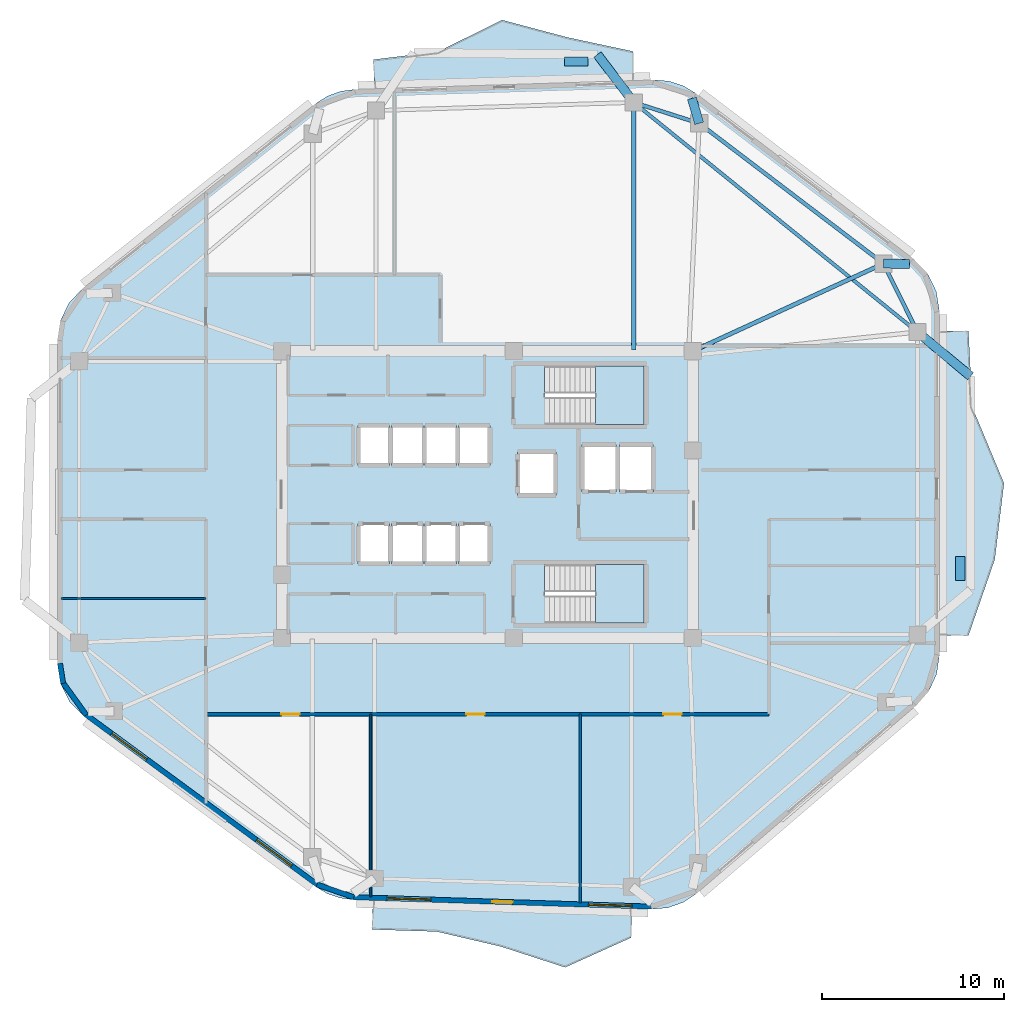
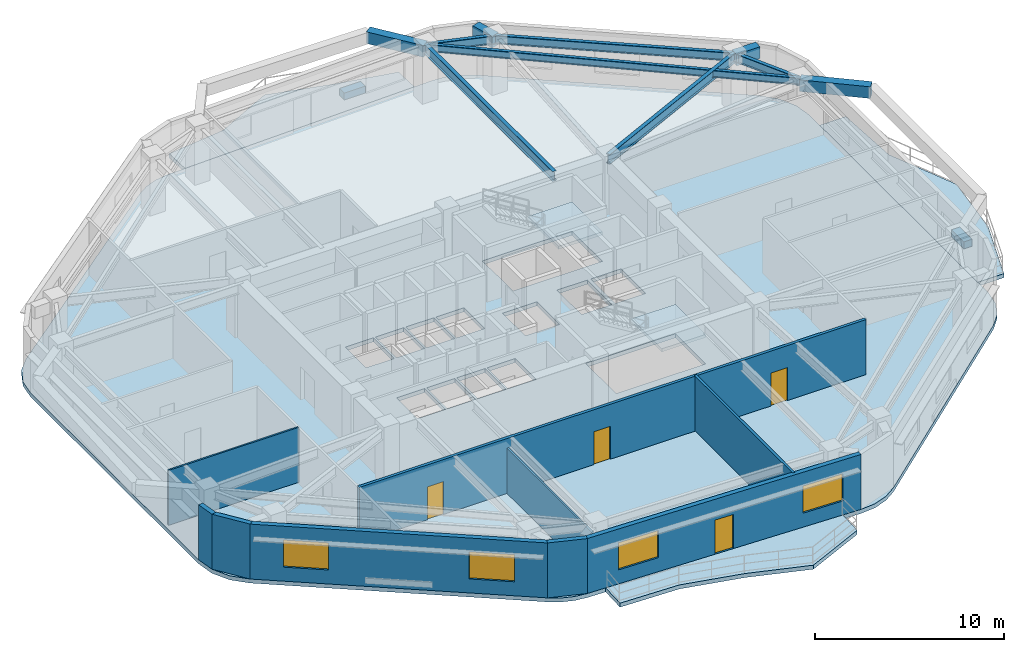
# One storey, part 2 of 8: 10 beams, 9 walls, 6 slabs, 4 doors, 4 windows, 2 plates, 8 openings, 2 elements without a shape of their own.
"""IFC4 building model written with IfcOpenShell, lengths in metres."""

from ifc_helpers import new_model, si_unit, direction, frame, frame_2d, origin, origin_2d, place, context, subcontext, project, spatial, polyline, rectangle, i_section, outline, extrude, material, layer, layer_set, material_profile, profile_set, type_object, element, fill, aggregate, save


model = new_model("IFC4")

# Units and contexts
model_context = context("Model", 3, precision=1e-05, world=origin(), true_north=direction((0.0, 1.0)))
body_context = subcontext(model_context, "Body", "Model", "MODEL_VIEW")
ifc_project = project(units=[si_unit("LENGTHUNIT", "METRE"), si_unit("AREAUNIT", "SQUARE_METRE"), si_unit("VOLUMEUNIT", "CUBIC_METRE"), si_unit("PLANEANGLEUNIT", "RADIAN"), si_unit("MASSUNIT", "GRAM", prefix="KILO")], contexts=[model_context])

# Site, building, storey
site_placement = place(None, origin())
site = spatial("IfcSite", under=ifc_project, at=site_placement, CompositionType="ELEMENT")
building_placement = place(site_placement, origin())
building = spatial("IfcBuilding", under=site, at=building_placement, Name="Zulverin Broadcast Headquarters", CompositionType="ELEMENT")
storey_placement = place(building_placement, frame((0.0, 0.0, 182.0)))
storey = spatial("IfcBuildingStorey", under=building, at=storey_placement, Name="L46", CompositionType="ELEMENT", Elevation=182.0)

# Beams
ifc_material_1 = material(Name="Concrete C40/50", Category="concrete")
ifc_material_profile_1 = material_profile(ifc_material_1, rectangle(XDim=0.5, YDim=0.75, at=origin_2d()), Name="Concrete C40/50", Category="concrete")
ifc_profile_set_1 = profile_set([ifc_material_profile_1], Name="Concrete C40/50")
beam_type_1 = type_object("IfcBeamType", Name="BM-RC-500x750", PredefinedType="BEAM", material=ifc_profile_set_1)
for number, where, z_axis, x_axis, name in (
    (1, (58.738037109375, 37.877685546875, 3.1650390625), (0.99990438472, -0.013828283279, 0.0), (0.013828283279, 0.99990438472, 0.0), "L47 Plate Overhang Back-Spanned Beam OVR-07"),
    (2, (48.62158203125, 45.574951171875, 3.1650390625), (-0.28015077605, 0.959956010804, 0.0), (-0.959956010804, -0.28015077605, 0.0), "L47 Plate Overhang Back-Spanned Beam OVR-08"),
):
    element("IfcBeam", number, at=place(storey_placement, frame(where, z_axis=z_axis, x_axis=x_axis)), inside=storey, type_object=beam_type_1, Name=name, PredefinedType="BEAM", context=body_context, shape_type="SweptSolid", body=[
        extrude(rectangle(XDim=0.5, YDim=0.75, at=origin_2d()), origin(), (0.0, 0.0, 1.0), 1.43017578125),
    ])
beam_1_placement = place(storey_placement, frame((60.60009765625, 34.12158203125, 3.1650390625), z_axis=(0.768400300007, -0.639969514078, 0.0), x_axis=(0.639969514078, 0.768400300007, 0.0)))
element("IfcBeam", 3, at=beam_1_placement, inside=storey, type_object=beam_type_1, Name="L47 Balcony Column-Framed Cantilever BAL_E-2", PredefinedType="BEAM", context=body_context, shape_type="SweptSolid", body=[
    extrude(rectangle(XDim=0.5, YDim=0.75, at=origin_2d()), origin(), (0.0, 0.0, 1.0), 3.800048828125),
])
beam_2_placement = place(storey_placement, frame((45.027587890625, 46.7236328125, 3.1650390625), z_axis=(-0.60373928825, 0.797181831092, 0.0), x_axis=(-0.797181831092, -0.60373928825, 0.0)))
element("IfcBeam", 4, at=beam_2_placement, inside=storey, type_object=beam_type_1, Name="L47 Balcony Column-Framed Cantilever BAL_N-1", PredefinedType="BEAM", context=body_context, shape_type="SweptSolid", body=[
    extrude(rectangle(XDim=0.5, YDim=0.75, at=origin_2d()), origin(), (0.0, 0.0, 1.0), 3.29541015625),
])
ifc_material_2 = material(Name="Structural steel S355JR", Category="steel")
ifc_material_profile_2 = material_profile(ifc_material_2, i_section(OverallWidth=0.19287109375, OverallDepth=0.46728515625, WebThickness=0.011474609375, FlangeThickness=0.01953125, at=origin_2d()), Name="Structural steel S355JR", Category="steel")
ifc_profile_set_2 = profile_set([ifc_material_profile_2], Name="Structural steel S355JR")
beam_type_2 = type_object("IfcBeamType", Name="BM-UB-457", PredefinedType="JOIST", material=ifc_profile_set_2)
beam_3_placement = place(storey_placement, frame((60.60009765625, 34.12158203125, 3.306396484375), z_axis=(-0.777349017335, 0.629069555175, 0.0), x_axis=(-0.629069555175, -0.777349017335, 0.0)))
element("IfcBeam", 5, at=beam_3_placement, inside=storey, type_object=beam_type_2, Name="L46 Chordal Floor Joist J-02", PredefinedType="JOIST", context=body_context, shape_type="SweptSolid", body=[
    extrude(i_section(OverallWidth=0.19287109375, OverallDepth=0.46728515625, WebThickness=0.011474609375, FlangeThickness=0.01953125, at=origin_2d()), origin(), (0.0, 0.0, 1.0), 20.032958984375),
])
ifc_material_profile_3 = material_profile(ifc_material_2, i_section(OverallWidth=0.2119140625, OverallDepth=0.54443359375, WebThickness=0.0126953125, FlangeThickness=0.021240234375, at=origin_2d()), Name="Structural steel S355JR", Category="steel")
ifc_profile_set_3 = profile_set([ifc_material_profile_3], Name="Structural steel S355JR")
beam_type_3 = type_object("IfcBeamType", Name="BM-UB-533", PredefinedType="SPANDREL", material=ifc_profile_set_3)
beam_4_placement = place(storey_placement, frame((60.60009765625, 34.12158203125, 3.267578125), z_axis=(-0.444159471033, 0.895947746407, 0.0), x_axis=(-0.895947746407, -0.444159471033, 0.0)))
element("IfcBeam", 6, at=beam_4_placement, inside=storey, type_object=beam_type_3, Name="L46 Perimeter Spandrel Beam SP-06", PredefinedType="SPANDREL", context=body_context, shape_type="SweptSolid", body=[
    extrude(i_section(OverallWidth=0.2119140625, OverallDepth=0.54443359375, WebThickness=0.0126953125, FlangeThickness=0.021240234375, at=origin_2d()), origin(), (0.0, 0.0, 1.0), 4.1923828125),
])
beam_5_placement = place(storey_placement, frame((58.738037109375, 37.877685546875, 3.267578125), z_axis=(-0.795830102505, 0.60551998146, 0.0), x_axis=(-0.60551998146, -0.795830102505, 0.0)))
element("IfcBeam", 7, at=beam_5_placement, inside=storey, type_object=beam_type_3, Name="L46 Perimeter Spandrel Beam SP-07", PredefinedType="SPANDREL", context=body_context, shape_type="SweptSolid", body=[
    extrude(i_section(OverallWidth=0.2119140625, OverallDepth=0.54443359375, WebThickness=0.0126953125, FlangeThickness=0.021240234375, at=origin_2d()), origin(), (0.0, 0.0, 1.0), 12.7119140625),
])
beam_6_placement = place(storey_placement, frame((48.62158203125, 45.574951171875, 3.267578125), z_axis=(-0.952531523781, 0.304439971428, 0.0), x_axis=(-0.304439971428, -0.952531523781, 0.0)))
element("IfcBeam", 8, at=beam_6_placement, inside=storey, type_object=beam_type_3, Name="L46 Perimeter Spandrel Beam SP-08", PredefinedType="SPANDREL", context=body_context, shape_type="SweptSolid", body=[
    extrude(i_section(OverallWidth=0.2119140625, OverallDepth=0.54443359375, WebThickness=0.0126953125, FlangeThickness=0.021240234375, at=origin_2d()), origin(), (0.0, 0.0, 1.0), 3.773193359375),
])
ifc_material_profile_4 = material_profile(ifc_material_2, i_section(OverallWidth=0.230224609375, OverallDepth=0.6171875, WebThickness=0.01318359375, FlangeThickness=0.022216796875, at=origin_2d()), Name="Structural steel S355JR", Category="steel")
ifc_profile_set_4 = profile_set([ifc_material_profile_4], Name="Structural steel S355JR")
beam_type_4 = type_object("IfcBeamType", Name="BM-UB-610", PredefinedType="BEAM", material=ifc_profile_set_4)
beam_7_placement = place(storey_placement, frame((48.27490234375, 33.074951171875, 3.2314453125), z_axis=(0.90883007293, 0.417166511764, 0.0), x_axis=(-0.417166511764, 0.90883007293, 0.0)))
element("IfcBeam", 9, at=beam_7_placement, inside=storey, type_object=beam_type_4, Name="L46 Radial Primary Floor Beam RB-07", PredefinedType="BEAM", context=body_context, shape_type="SweptSolid", body=[
    extrude(i_section(OverallWidth=0.230224609375, OverallDepth=0.6171875, WebThickness=0.01318359375, FlangeThickness=0.022216796875, at=origin_2d()), origin(), (0.0, 0.0, 1.0), 11.5126953125),
])
beam_8_placement = place(storey_placement, frame((45.027587890625, 33.125, 3.2314453125), z_axis=(0.0, 1.0, 0.0), x_axis=(-1.0, 0.0, 0.0)))
element("IfcBeam", 10, at=beam_8_placement, inside=storey, type_object=beam_type_4, Name="L46 Radial Primary Floor Beam RB-09", PredefinedType="BEAM", context=body_context, shape_type="SweptSolid", body=[
    extrude(i_section(OverallWidth=0.230224609375, OverallDepth=0.6171875, WebThickness=0.01318359375, FlangeThickness=0.022216796875, at=origin_2d()), origin(), (0.0, 0.0, 1.0), 13.5986328125),
])

# Plates
ifc_material_3 = material(Name="Precast concrete C45/55", Category="concrete")
ifc_layer_1 = layer(ifc_material_3, 0.449951171875, Name="Precast concrete C45/55", Category="concrete")
ifc_layer_set_1 = layer_set([ifc_layer_1], Name="Precast concrete C45/55")
plate_type = type_object("IfcPlateType", Name="PT-01_PRECAST_GFRC_TREE_PLANTER", PredefinedType="USERDEFINED", material=ifc_layer_set_1)
for number, where, z_axis, x_axis, name in (
    (11, (62.949951171875, 21.143798828125, -0.0048828125), (0.0, 0.0, 1.0), (0.0, 1.0, 0.0), "L46 Precast GFRC Tree Planter BAL_E"),
    (12, (41.869140625, 48.974609375, -0.0048828125), (0.0, 0.0, 1.0), (1.0, 0.0, 0.0), "L46 Precast GFRC Tree Planter BAL_N"),
):
    element("IfcPlate", number, at=place(storey_placement, frame(where, z_axis=z_axis, x_axis=x_axis)), inside=storey, type_object=plate_type, Name=name, ObjectType="PLANTER", PredefinedType="USERDEFINED", context=body_context, shape_type="SweptSolid", body=[
        extrude(rectangle(XDim=1.300048828125, YDim=0.5, at=origin_2d()), origin(), (0.0, 0.0, 1.0), 0.449951171875),
    ])

# Slabs
ifc_layer_2 = layer(ifc_material_1, 0.260009765625, Name="Concrete C40/50", Category="concrete")
ifc_layer_set_2 = layer_set([ifc_layer_2], Name="Concrete C40/50")
slab_type_1 = type_object("IfcSlabType", Name="SLB-BAL-260", PredefinedType="FLOOR", material=ifc_layer_set_2)
slab_1_placement = place(storey_placement, frame((0.0, 0.0, -0.260009765625)))
element("IfcSlab", 13, at=slab_1_placement, inside=storey, type_object=slab_type_1, Name="L46 Cantilevered Planted Balcony Slab BAL_E", PredefinedType="FLOOR", context=body_context, shape_type="SweptSolid", body=[
    extrude(outline(polyline([(61.800048828125, 34.17138671875), (61.800048828125, 17.46923828125), (63.39990234375, 17.46923828125), (64.84423828125, 21.644775390625), (65.35009765625, 25.8203125), (63.608642578125, 29.995849609375), (63.39990234375, 34.17138671875), (61.800048828125, 34.17138671875)])), origin(), (0.0, 0.0, 1.0), 0.260009765625),
])
slab_2_placement = place(storey_placement, frame((0.0, 0.0, -0.260009765625)))
element("IfcSlab", 14, at=slab_2_placement, inside=storey, type_object=slab_type_1, Name="L46 Cantilevered Planted Balcony Slab BAL_S", PredefinedType="FLOOR", context=body_context, shape_type="SweptSolid", body=[
    extrude(outline(polyline([(44.921630859375, 2.479248046875), (30.720458984375, 2.9296875), (30.669921875, 1.33056640625), (34.22021484375, 1.218017578125), (37.747802734375, 0.394287109375), (41.265380859375, -0.74658203125), (44.87109375, 0.8798828125), (44.921630859375, 2.479248046875)])), origin(), (0.0, 0.0, 1.0), 0.260009765625),
])
slab_3_placement = place(storey_placement, frame((0.0, 0.0, -0.260009765625)))
element("IfcSlab", 15, at=slab_3_placement, inside=storey, type_object=slab_type_1, Name="L46 Cantilevered Planted Balcony Slab BAL_N", PredefinedType="FLOOR", context=body_context, shape_type="SweptSolid", body=[
    extrude(outline(polyline([(30.794189453125, 47.47265625), (45.03955078125, 47.924560546875), (44.98876953125, 49.523681640625), (41.3994140625, 50.2900390625), (37.80419921875, 51.246826171875), (34.29443359375, 49.508056640625), (30.743408203125, 49.072021484375), (30.794189453125, 47.47265625)])), origin(), (0.0, 0.0, 1.0), 0.260009765625),
])

# Stair, slab
stair_type = type_object("IfcStairType", Name="ST-CORE-1500", PredefinedType="HALF_TURN_STAIR", material=ifc_material_1)
stair_1_placement = place(storey_placement, origin())
stair_1 = element("IfcStair", 16, at=stair_1_placement, inside=storey, type_object=stair_type, Name="L46 Core Exit Stair ST-1", PredefinedType="HALF_TURN_STAIR")
ifc_layer_3 = layer(ifc_material_1, 0.199951171875, Name="Concrete C40/50", Category="concrete")
ifc_layer_set_3 = layer_set([ifc_layer_3], Name="Concrete C40/50")
slab_type_2 = type_object("IfcSlabType", Name="SLB-ST-LND200", PredefinedType="LANDING", material=ifc_layer_set_3)
slab_4_placement = place(storey_placement, frame((0.0, 0.0, 1.699951171875)))
slab_4 = element("IfcSlab", 17, at=slab_4_placement, type_object=slab_type_2, Name="ST-1 landing 1", PredefinedType="LANDING", context=body_context, shape_type="SweptSolid", body=[
    extrude(outline(polyline([(42.929931640625, 29.050048828125), (45.60009765625, 29.050048828125), (45.60009765625, 32.25), (42.929931640625, 32.25), (42.929931640625, 29.050048828125)])), origin(), (0.0, 0.0, 1.0), 0.199951171875),
])
aggregate(stair_1, [slab_4])

stair_2_placement = place(storey_placement, origin())
stair_2 = element("IfcStair", 18, at=stair_2_placement, inside=storey, type_object=stair_type, Name="L46 Core Exit Stair ST-2", PredefinedType="HALF_TURN_STAIR")
slab_5_placement = place(storey_placement, frame((0.0, 0.0, 1.699951171875)))
slab_5 = element("IfcSlab", 19, at=slab_5_placement, type_object=slab_type_2, Name="ST-2 landing 1", PredefinedType="LANDING", context=body_context, shape_type="SweptSolid", body=[
    extrude(outline(polyline([(42.929931640625, 18.14990234375), (45.60009765625, 18.14990234375), (45.60009765625, 21.35009765625), (42.929931640625, 21.35009765625), (42.929931640625, 18.14990234375)])), origin(), (0.0, 0.0, 1.0), 0.199951171875),
])
aggregate(stair_2, [slab_5])

# Slab
ifc_layer_4 = layer(ifc_material_1, 0.260009765625, Name="Concrete C40/50", Category="concrete")
ifc_layer_set_4 = layer_set([ifc_layer_4], Name="Concrete C40/50")
slab_type_3 = type_object("IfcSlabType", Name="SLB-TWR-260", PredefinedType="FLOOR", material=ifc_layer_set_4)
slab_6_placement = place(storey_placement, frame((0.0, 0.0, -0.260009765625)))
element("IfcSlab", 20, at=slab_6_placement, inside=storey, type_object=slab_type_3, Name="L46 Main Structural Floor Slab", PredefinedType="FLOOR", context=body_context, shape_type="SweptSolid", body=[
    extrude(outline(polyline([(27.603515625, 3.661865234375), (28.224365234375, 3.295166015625), (28.906005859375, 3.0595703125), (29.62109375, 2.964599609375), (46.02099609375, 2.4443359375), (46.902587890625, 2.525146484375), (47.738037109375, 2.81884765625), (48.476318359375, 3.3076171875), (60.541015625, 13.63427734375), (61.220703125, 14.41064453125), (61.652099609375, 15.34814453125), (61.800048828125, 16.369384765625), (61.800048828125, 35.271484375), (61.6318359375, 36.358642578125), (61.143310546875, 37.344482421875), (60.3798828125, 38.136474609375), (48.432861328125, 47.226318359375), (47.73095703125, 47.643798828125), (46.952880859375, 47.892578125), (46.138916015625, 47.95947265625), (29.694580078125, 47.437744140625), (28.9365234375, 47.332275390625), (28.2177734375, 47.06884765625), (27.57080078125, 46.659423828125), (14.761962890625, 36.492919921875), (14.02880859375, 35.705810546875), (13.560791015625, 34.737060546875), (13.39990234375, 33.673095703125), (13.39990234375, 15.921875), (13.57421875, 14.815673828125), (14.079833984375, 13.81640625), (14.8681640625, 13.02099609375), (27.603515625, 3.661865234375)]), holes=[polyline([(40.155029296875, 30.75), (40.130126953125, 30.75), (40.130126953125, 32.25), (45.60009765625, 32.25), (45.60009765625, 29.050048828125), (40.155029296875, 29.050048828125), (40.155029296875, 30.75)]), polyline([(40.155029296875, 19.85009765625), (40.130126953125, 19.85009765625), (40.130126953125, 21.35009765625), (45.60009765625, 21.35009765625), (45.60009765625, 18.14990234375), (40.155029296875, 18.14990234375), (40.155029296875, 19.85009765625)]), polyline([(29.89990234375, 21.39990234375), (31.6201171875, 21.39990234375), (31.6201171875, 23.60009765625), (29.89990234375, 23.60009765625), (29.89990234375, 21.39990234375)]), polyline([(31.739990234375, 21.39990234375), (33.4599609375, 21.39990234375), (33.4599609375, 23.60009765625), (31.739990234375, 23.60009765625), (31.739990234375, 21.39990234375)]), polyline([(33.580078125, 21.39990234375), (35.300048828125, 21.39990234375), (35.300048828125, 23.60009765625), (33.580078125, 23.60009765625), (33.580078125, 21.39990234375)]), polyline([(35.419921875, 21.39990234375), (37.139892578125, 21.39990234375), (37.139892578125, 23.60009765625), (35.419921875, 23.60009765625), (35.419921875, 21.39990234375)]), polyline([(29.89990234375, 26.800048828125), (31.6201171875, 26.800048828125), (31.6201171875, 29.0), (29.89990234375, 29.0), (29.89990234375, 26.800048828125)]), polyline([(31.739990234375, 26.800048828125), (33.4599609375, 26.800048828125), (33.4599609375, 29.0), (31.739990234375, 29.0), (31.739990234375, 26.800048828125)]), polyline([(33.580078125, 26.800048828125), (35.300048828125, 26.800048828125), (35.300048828125, 29.0), (33.580078125, 29.0), (33.580078125, 26.800048828125)]), polyline([(35.419921875, 26.800048828125), (37.139892578125, 26.800048828125), (37.139892578125, 29.0), (35.419921875, 29.0), (35.419921875, 26.800048828125)]), polyline([(42.199951171875, 25.35009765625), (44.050048828125, 25.35009765625), (44.050048828125, 27.949951171875), (42.199951171875, 27.949951171875), (42.199951171875, 25.35009765625)]), polyline([(44.25, 25.35009765625), (46.10009765625, 25.35009765625), (46.10009765625, 27.949951171875), (44.25, 27.949951171875), (44.25, 25.35009765625)]), polyline([(38.64990234375, 25.14990234375), (40.75, 25.14990234375), (40.75, 27.550048828125), (38.64990234375, 27.550048828125), (38.64990234375, 25.14990234375)])]), origin(), (0.0, 0.0, 1.0), 0.260009765625),
])

# Wall, openings, door, windows
ifc_material_4 = material(Name="Insulated pale-metal clad concrete spandrel C40/50", Category="concrete")
ifc_layer_5 = layer(ifc_material_4, 0.280029296875, Name="Insulated pale-metal clad concrete spandrel C40/50", Category="concrete")
ifc_layer_set_5 = layer_set([ifc_layer_5], Name="Insulated pale-metal clad concrete spandrel C40/50")
wall_type_1 = type_object("IfcWallType", Name="WL-EXT-280", PredefinedType="STANDARD", material=ifc_layer_set_5)
wall_1_placement = place(storey_placement, frame((29.62548828125, 3.1044921875, 0.0), z_axis=(0.0, 0.0, 1.0), x_axis=(0.99949718661, -0.031707632487, 0.0)))
wall_1 = element("IfcWall", 21, at=wall_1_placement, inside=storey, type_object=wall_type_1, Name="L46 Pale-Metal Clad Spandrel Wall 1", PredefinedType="STANDARD", context=body_context, shape_type="SweptSolid", body=[
    extrude(rectangle(XDim=16.408203125, YDim=0.280029296875, at=frame_2d((8.2041015625, 0.0))), origin(), (0.0, 0.0, 1.0), 3.5400390625),
])
opening_1_placement = place(wall_1_placement, frame((7.654052734375, 0.0, 0.0)))
opening_1 = element("IfcOpeningElement", 22, at=opening_1_placement, cuts=wall_1, Name="Opening D-L46-TR1", PredefinedType="OPENING", context=body_context, shape_type="SweptSolid", body=[
    extrude(rectangle(XDim=1.10009765625, YDim=2.199951171875, at=frame_2d((0.550048828125, 1.10009765625))), frame((0.0, 0.14990234375, 0.0), z_axis=(0.0, -1.0, 0.0), x_axis=(1.0, 0.0, 0.0)), (0.0, 0.0, 1.0), 0.300048828125),
])
opening_2_placement = place(wall_1_placement, frame((1.867919921875, 0.0, 0.89990234375)))
opening_2 = element("IfcOpeningElement", 23, at=opening_2_placement, cuts=wall_1, Name="Opening W-L46-E11", PredefinedType="OPENING", context=body_context, shape_type="SweptSolid", body=[
    extrude(rectangle(XDim=2.39990234375, YDim=1.75, at=frame_2d((1.199951171875, 0.875))), frame((0.0, 0.14990234375, 0.0), z_axis=(0.0, -1.0, 0.0), x_axis=(1.0, 0.0, 0.0)), (0.0, 0.0, 1.0), 0.300048828125),
])
opening_3_placement = place(wall_1_placement, frame((12.920166015625, 0.0, 0.89990234375)))
opening_3 = element("IfcOpeningElement", 24, at=opening_3_placement, cuts=wall_1, Name="Opening W-L46-E12", PredefinedType="OPENING", context=body_context, shape_type="SweptSolid", body=[
    extrude(rectangle(XDim=2.39990234375, YDim=1.75, at=frame_2d((1.199951171875, 0.875))), frame((0.0, 0.14990234375, 0.0), z_axis=(0.0, -1.0, 0.0), x_axis=(1.0, 0.0, 0.0)), (0.0, 0.0, 1.0), 0.300048828125),
])
ifc_material_5 = material(Name="Thermally broken aluminium glazed", Category="aluminium")
door_type_1 = type_object("IfcDoorType", Name="DR-TERR-1100", OperationType="SINGLE_SWING_RIGHT", PredefinedType="DOOR", material=ifc_material_5)
door_1_placement = place(opening_1_placement, origin())
door_1 = element("IfcDoor", 25, at=door_1_placement, inside=storey, type_object=door_type_1, Name="L46 Planted Terrace Glazed Access Door 1", OperationType="SINGLE_SWING_RIGHT", OverallHeight=2.199951171875, OverallWidth=1.10009765625, PredefinedType="DOOR", context=body_context, shape_type="SweptSolid", body=[
    extrude(rectangle(XDim=1.10009765625, YDim=2.199951171875, at=frame_2d((0.550048828125, 1.10009765625))), frame((0.0, 0.02490234375, 0.0), z_axis=(0.0, -1.0, 0.0), x_axis=(1.0, 0.0, 0.0)), (0.0, 0.0, 1.0), 0.050048828125),
])
fill(opening_1, door_1)
ifc_material_6 = material(Name="Pale anodized aluminium frame with solar-control low-E double glazing", Category="aluminium")
window_type = type_object("IfcWindowType", Name="WIN-RIB-2400", PartitioningType="SINGLE_PANEL", PredefinedType="WINDOW", material=ifc_material_6)
window_1_placement = place(opening_2_placement, origin())
window_1 = element("IfcWindow", 26, at=window_1_placement, inside=storey, type_object=window_type, Name="L46 Ribbon Glazing Window 1 1", OverallHeight=1.75, OverallWidth=2.39990234375, PartitioningType="SINGLE_PANEL", PredefinedType="WINDOW", context=body_context, shape_type="SweptSolid", body=[
    extrude(rectangle(XDim=2.39990234375, YDim=1.75, at=frame_2d((1.199951171875, 0.875))), frame((0.0, 0.030029296875, 0.0), z_axis=(0.0, -1.0, 0.0), x_axis=(1.0, 0.0, 0.0)), (0.0, 0.0, 1.0), 0.06005859375),
])
fill(opening_2, window_1)
window_2_placement = place(opening_3_placement, origin())
window_2 = element("IfcWindow", 27, at=window_2_placement, inside=storey, type_object=window_type, Name="L46 Ribbon Glazing Window 1 2", OverallHeight=1.75, OverallWidth=2.39990234375, PartitioningType="SINGLE_PANEL", PredefinedType="WINDOW", context=body_context, shape_type="SweptSolid", body=[
    extrude(rectangle(XDim=2.39990234375, YDim=1.75, at=frame_2d((1.199951171875, 0.875))), frame((0.0, 0.030029296875, 0.0), z_axis=(0.0, -1.0, 0.0), x_axis=(1.0, 0.0, 0.0)), (0.0, 0.0, 1.0), 0.06005859375),
])
fill(opening_3, window_2)

# Wall, openings, windows
wall_2_placement = place(storey_placement, frame((14.950927734375, 13.1337890625, 0.0), z_axis=(0.0, 0.0, 1.0), x_axis=(0.805804940328, -0.592181051827, 0.0)))
wall_2 = element("IfcWall", 28, at=wall_2_placement, inside=storey, type_object=wall_type_1, Name="L46 Pale-Metal Clad Spandrel Wall 8", PredefinedType="STANDARD", context=body_context, shape_type="SweptSolid", body=[
    extrude(rectangle(XDim=15.804443359375, YDim=0.280029296875, at=frame_2d((7.90234375, 0.0))), origin(), (0.0, 0.0, 1.0), 3.5400390625),
])
opening_4_placement = place(wall_2_placement, frame((1.767333984375, 0.0, 0.89990234375)))
opening_4 = element("IfcOpeningElement", 29, at=opening_4_placement, cuts=wall_2, Name="Opening W-L46-E81", PredefinedType="OPENING", context=body_context, shape_type="SweptSolid", body=[
    extrude(rectangle(XDim=2.39990234375, YDim=1.75, at=frame_2d((1.199951171875, 0.875))), frame((0.0, 0.14990234375, 0.0), z_axis=(0.0, -1.0, 0.0), x_axis=(1.0, 0.0, 0.0)), (0.0, 0.0, 1.0), 0.300048828125),
])
opening_5_placement = place(wall_2_placement, frame((11.63720703125, 0.0, 0.89990234375)))
opening_5 = element("IfcOpeningElement", 30, at=opening_5_placement, cuts=wall_2, Name="Opening W-L46-E82", PredefinedType="OPENING", context=body_context, shape_type="SweptSolid", body=[
    extrude(rectangle(XDim=2.39990234375, YDim=1.75, at=frame_2d((1.199951171875, 0.875))), frame((0.0, 0.14990234375, 0.0), z_axis=(0.0, -1.0, 0.0), x_axis=(1.0, 0.0, 0.0)), (0.0, 0.0, 1.0), 0.300048828125),
])
window_3_placement = place(opening_4_placement, origin())
window_3 = element("IfcWindow", 31, at=window_3_placement, inside=storey, type_object=window_type, Name="L46 Ribbon Glazing Window 8 1", OverallHeight=1.75, OverallWidth=2.39990234375, PartitioningType="SINGLE_PANEL", PredefinedType="WINDOW", context=body_context, shape_type="SweptSolid", body=[
    extrude(rectangle(XDim=2.39990234375, YDim=1.75, at=frame_2d((1.199951171875, 0.875))), frame((0.0, 0.030029296875, 0.0), z_axis=(0.0, -1.0, 0.0), x_axis=(1.0, 0.0, 0.0)), (0.0, 0.0, 1.0), 0.06005859375),
])
fill(opening_4, window_3)
window_4_placement = place(opening_5_placement, origin())
window_4 = element("IfcWindow", 32, at=window_4_placement, inside=storey, type_object=window_type, Name="L46 Ribbon Glazing Window 8 2", OverallHeight=1.75, OverallWidth=2.39990234375, PartitioningType="SINGLE_PANEL", PredefinedType="WINDOW", context=body_context, shape_type="SweptSolid", body=[
    extrude(rectangle(XDim=2.39990234375, YDim=1.75, at=frame_2d((1.199951171875, 0.875))), frame((0.0, 0.030029296875, 0.0), z_axis=(0.0, -1.0, 0.0), x_axis=(1.0, 0.0, 0.0)), (0.0, 0.0, 1.0), 0.06005859375),
])
fill(opening_5, window_4)

# Walls
wall_3_placement = place(storey_placement, frame((13.538330078125, 15.943603515625, 0.0), z_axis=(0.0, 0.0, 1.0), x_axis=(0.155447556013, -0.987844146275, 0.0)))
element("IfcWall", 33, at=wall_3_placement, inside=storey, type_object=wall_type_1, Name="L46 Wind-Shaped Corner Spandrel Wall 7-1", PredefinedType="STANDARD", context=body_context, shape_type="SweptSolid", body=[
    extrude(rectangle(XDim=1.119873046875, YDim=0.280029296875, at=frame_2d((0.56005859375, 0.0))), origin(), (0.0, 0.0, 1.0), 3.5400390625),
])
wall_4_placement = place(storey_placement, frame((13.687744140625, 14.897705078125, 0.0), z_axis=(0.0, 0.0, 1.0), x_axis=(0.584833657716, -0.811153248655, 0.0)))
element("IfcWall", 34, at=wall_4_placement, inside=storey, type_object=wall_type_1, Name="L46 Wind-Shaped Corner Spandrel Wall 7-2", PredefinedType="STANDARD", context=body_context, shape_type="SweptSolid", body=[
    extrude(rectangle(XDim=2.21240234375, YDim=0.280029296875, at=frame_2d((1.106201171875, 0.0))), origin(), (0.0, 0.0, 1.0), 3.5400390625),
])
wall_5_placement = place(storey_placement, frame((27.649169921875, 3.794189453125, 0.0), z_axis=(0.0, 0.0, 1.0), x_axis=(0.945149124969, -0.326639145802, 0.0)))
element("IfcWall", 35, at=wall_5_placement, inside=storey, type_object=wall_type_1, Name="L46 Wind-Shaped Corner Spandrel Wall 8-1", PredefinedType="STANDARD", context=body_context, shape_type="SweptSolid", body=[
    extrude(rectangle(XDim=2.134765625, YDim=0.280029296875, at=frame_2d((1.0673828125, 0.0))), origin(), (0.0, 0.0, 1.0), 3.5400390625),
])
ifc_material_7 = material(Name="Fire-rated acoustic laminated glass screen", Category="glass")
ifc_layer_6 = layer(ifc_material_7, 0.10009765625, Name="Fire-rated acoustic laminated glass screen", Category="glass")
ifc_layer_set_6 = layer_set([ifc_layer_6], Name="Fire-rated acoustic laminated glass screen")
wall_type_2 = type_object("IfcWallType", Name="WL-GLAZ-100", PredefinedType="PARTITIONING", material=ifc_layer_set_6)
wall_6_placement = place(storey_placement, frame((30.60009765625, 3.138427734375, 0.0), z_axis=(0.0, 0.0, 1.0), x_axis=(0.0, 1.0, 0.0)))
element("IfcWall", 36, at=wall_6_placement, inside=storey, type_object=wall_type_2, Name="L46 Room Partition Wall RP-05", PredefinedType="PARTITIONING", context=body_context, shape_type="SweptSolid", body=[
    extrude(rectangle(XDim=10.011474609375, YDim=0.10009765625, at=frame_2d((5.005859375, 0.0))), origin(), (0.0, 0.0, 1.0), 2.9228515625),
])
wall_7_placement = place(storey_placement, frame((13.60498046875, 19.5, 0.0), z_axis=(0.0, 0.0, 1.0), x_axis=(1.0, 0.0, 0.0)))
element("IfcWall", 37, at=wall_7_placement, inside=storey, type_object=wall_type_2, Name="L46 Room Partition Wall RP-10", PredefinedType="PARTITIONING", context=body_context, shape_type="SweptSolid", body=[
    extrude(rectangle(XDim=7.945068359375, YDim=0.10009765625, at=frame_2d((3.97265625, 0.0))), origin(), (0.0, 0.0, 1.0), 3.5400390625),
])
ifc_material_8 = material(Name="Fire-rated gypsum stud partition", Category="gypsum")
ifc_layer_7 = layer(ifc_material_8, 0.14990234375, Name="Fire-rated gypsum stud partition", Category="gypsum")
ifc_layer_set_7 = layer_set([ifc_layer_7], Name="Fire-rated gypsum stud partition")
wall_type_3 = type_object("IfcWallType", Name="WL-PART-150", PredefinedType="PARTITIONING", material=ifc_layer_set_7)
wall_8_placement = place(storey_placement, frame((42.10009765625, 2.773681640625, 0.0), z_axis=(0.0, 0.0, 1.0), x_axis=(0.0, 1.0, 0.0)))
element("IfcWall", 38, at=wall_8_placement, inside=storey, type_object=wall_type_3, Name="L46 Room Partition Wall RP-02", PredefinedType="PARTITIONING", context=body_context, shape_type="SweptSolid", body=[
    extrude(rectangle(XDim=10.376220703125, YDim=0.14990234375, at=frame_2d((5.18798828125, 0.0))), origin(), (0.0, 0.0, 1.0), 3.5400390625),
])

# Wall, openings, doors
ifc_material_9 = material(Name="Fire-rated acoustic stud wall", Category="gypsum")
ifc_layer_8 = layer(ifc_material_9, 0.175048828125, Name="Fire-rated acoustic stud wall", Category="gypsum")
ifc_layer_set_8 = layer_set([ifc_layer_8], Name="Fire-rated acoustic stud wall")
wall_type_4 = type_object("IfcWallType", Name="WL-PART-175", PredefinedType="PARTITIONING", material=ifc_layer_set_8)
wall_9_placement = place(storey_placement, frame((21.550048828125, 13.14990234375, 0.0), z_axis=(0.0, 0.0, 1.0), x_axis=(1.0, 0.0, 0.0)))
wall_9 = element("IfcWall", 39, at=wall_9_placement, inside=storey, type_object=wall_type_4, Name="L46 Gallery Partition Wall CG-08", PredefinedType="PARTITIONING", context=body_context, shape_type="SweptSolid", body=[
    extrude(rectangle(XDim=30.89990234375, YDim=0.175048828125, at=frame_2d((15.449951171875, 0.0))), origin(), (0.0, 0.0, 1.0), 3.5400390625),
])
opening_6_placement = place(wall_9_placement, frame((4.14501953125, 0.0, 0.0)))
opening_6 = element("IfcOpeningElement", 40, at=opening_6_placement, cuts=wall_9, Name="Opening D-L46-03", PredefinedType="OPENING", context=body_context, shape_type="SweptSolid", body=[
    extrude(rectangle(XDim=1.0, YDim=2.1201171875, at=frame_2d((0.5, 1.06005859375))), frame((0.0, 0.097412109375, 0.0), z_axis=(0.0, -1.0, 0.0), x_axis=(1.0, 0.0, 0.0)), (0.0, 0.0, 1.0), 0.195068359375),
])
opening_7_placement = place(wall_9_placement, frame((14.300048828125, 0.0, 0.0)))
opening_7 = element("IfcOpeningElement", 41, at=opening_7_placement, cuts=wall_9, Name="Opening D-L46-04", PredefinedType="OPENING", context=body_context, shape_type="SweptSolid", body=[
    extrude(rectangle(XDim=1.0, YDim=2.1201171875, at=frame_2d((0.5, 1.06005859375))), frame((0.0, 0.097412109375, 0.0), z_axis=(0.0, -1.0, 0.0), x_axis=(1.0, 0.0, 0.0)), (0.0, 0.0, 1.0), 0.195068359375),
])
opening_8_placement = place(wall_9_placement, frame((25.10498046875, 0.0, 0.0)))
opening_8 = element("IfcOpeningElement", 42, at=opening_8_placement, cuts=wall_9, Name="Opening D-L46-05", PredefinedType="OPENING", context=body_context, shape_type="SweptSolid", body=[
    extrude(rectangle(XDim=1.0, YDim=2.1201171875, at=frame_2d((0.5, 1.06005859375))), frame((0.0, 0.097412109375, 0.0), z_axis=(0.0, -1.0, 0.0), x_axis=(1.0, 0.0, 0.0)), (0.0, 0.0, 1.0), 0.195068359375),
])
ifc_material_10 = material(Name="Hardwood veneer acoustic leaf", Category="wood")
door_type_2 = type_object("IfcDoorType", Name="DR-OFF-1000", OperationType="SINGLE_SWING_LEFT", PredefinedType="DOOR", material=ifc_material_10)
door_2_placement = place(opening_6_placement, origin())
door_2 = element("IfcDoor", 43, at=door_2_placement, inside=storey, type_object=door_type_2, Name="L46 Social Media Workplace Door", OperationType="SINGLE_SWING_LEFT", OverallHeight=2.1201171875, OverallWidth=1.0, PredefinedType="DOOR", context=body_context, shape_type="SweptSolid", body=[
    extrude(rectangle(XDim=1.0, YDim=2.1201171875, at=frame_2d((0.5, 1.06005859375))), frame((0.0, 0.02490234375, 0.0), z_axis=(0.0, -1.0, 0.0), x_axis=(1.0, 0.0, 0.0)), (0.0, 0.0, 1.0), 0.050048828125),
])
fill(opening_6, door_2)
door_3_placement = place(opening_7_placement, origin())
door_3 = element("IfcDoor", 44, at=door_3_placement, inside=storey, type_object=door_type_2, Name="L46 Translation Office Door", OperationType="SINGLE_SWING_RIGHT", OverallHeight=2.1201171875, OverallWidth=1.0, PredefinedType="DOOR", context=body_context, shape_type="SweptSolid", body=[
    extrude(rectangle(XDim=1.0, YDim=2.1201171875, at=frame_2d((0.5, 1.06005859375))), frame((0.0, 0.02490234375, 0.0), z_axis=(0.0, -1.0, 0.0), x_axis=(1.0, 0.0, 0.0)), (0.0, 0.0, 1.0), 0.050048828125),
])
fill(opening_7, door_3)
door_4_placement = place(opening_8_placement, origin())
door_4 = element("IfcDoor", 45, at=door_4_placement, inside=storey, type_object=door_type_2, Name="L46 Standards Office Door", OperationType="SINGLE_SWING_LEFT", OverallHeight=2.1201171875, OverallWidth=1.0, PredefinedType="DOOR", context=body_context, shape_type="SweptSolid", body=[
    extrude(rectangle(XDim=1.0, YDim=2.1201171875, at=frame_2d((0.5, 1.06005859375))), frame((0.0, 0.02490234375, 0.0), z_axis=(0.0, -1.0, 0.0), x_axis=(1.0, 0.0, 0.0)), (0.0, 0.0, 1.0), 0.050048828125),
])
fill(opening_8, door_4)

save(model, "model.ifc")
